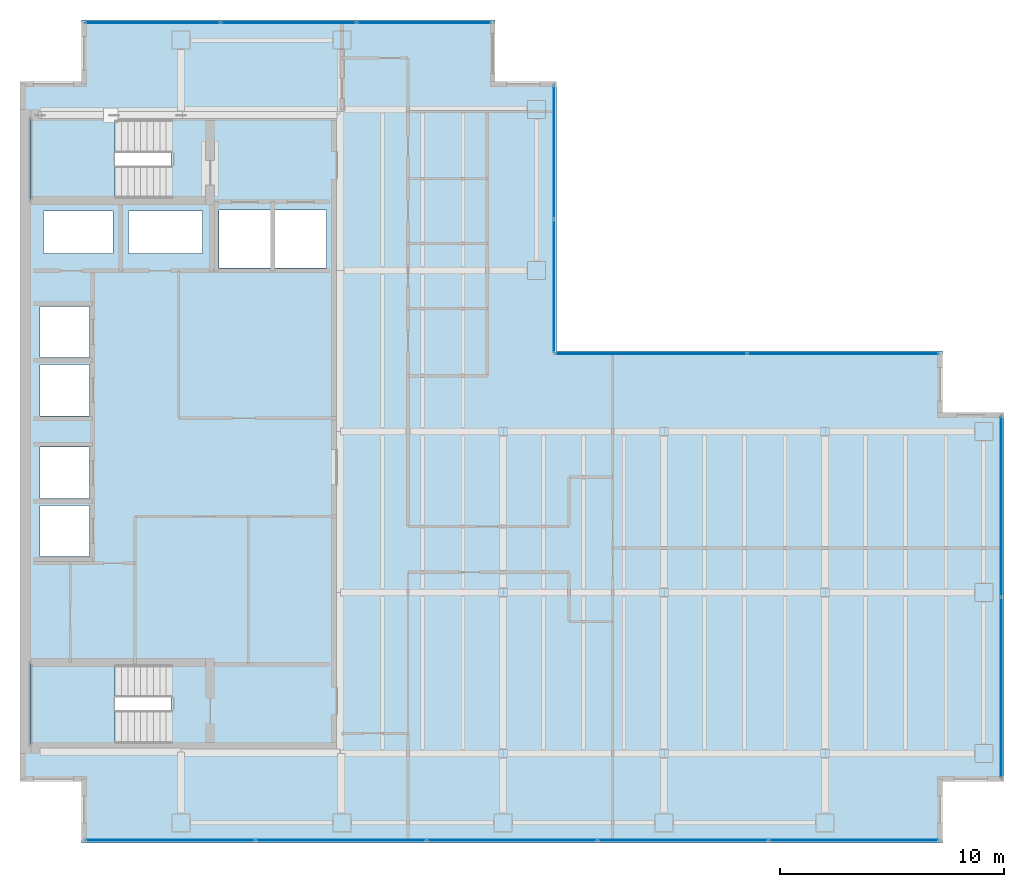
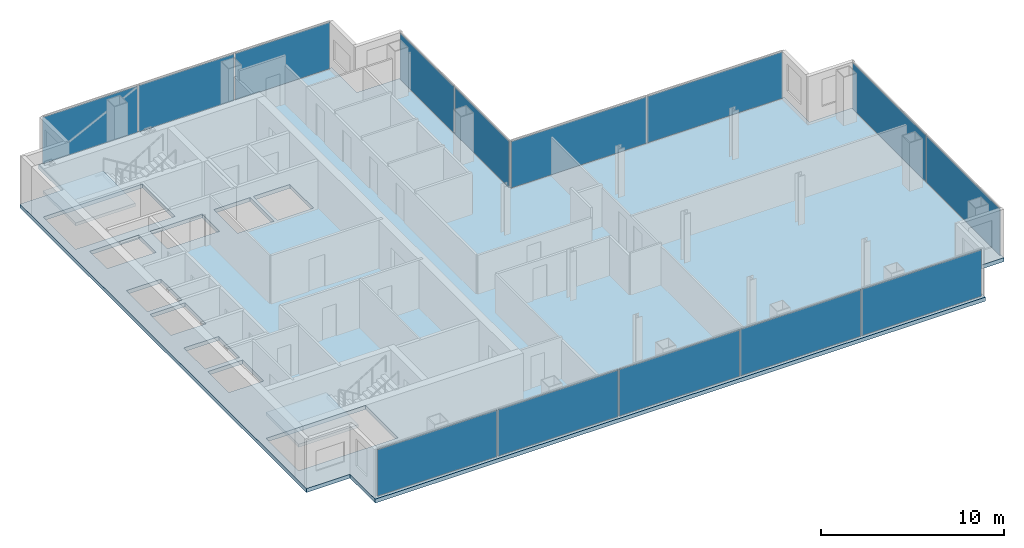
# One storey, part 19 of 23: 14 plates, 3 slabs, 10 openings, 7 elements without a shape of their own.
"""IFC4 building model written with IfcOpenShell, lengths in metres."""

from ifc_helpers import new_model, si_unit, direction, frame, origin, origin_2d, place, context, subcontext, project, spatial, polyline, rectangle, outline, extrude, material, layer, layer_set, type_object, element, aggregate, save


model = new_model("IFC4")

# Units and contexts
model_context = context("Model", 3, precision=1e-05, world=origin(), true_north=direction((0.0, 1.0)))
body_context = subcontext(model_context, "Body", "Model", "MODEL_VIEW")
ifc_project = project(units=[si_unit("LENGTHUNIT", "METRE"), si_unit("AREAUNIT", "SQUARE_METRE"), si_unit("VOLUMEUNIT", "CUBIC_METRE"), si_unit("PLANEANGLEUNIT", "RADIAN"), si_unit("MASSUNIT", "GRAM", prefix="KILO")], contexts=[model_context])

# Site, building, storey
site_placement = place(None, origin())
site = spatial("IfcSite", under=ifc_project, at=site_placement, CompositionType="ELEMENT")
building_placement = place(site_placement, origin())
building = spatial("IfcBuilding", under=site, at=building_placement, Name="Cobrela Telecom Tower", CompositionType="ELEMENT")
storey_placement = place(building_placement, frame((0.0, 0.0, 183.75)))
storey = spatial("IfcBuildingStorey", under=building, at=storey_placement, Name="L46", CompositionType="ELEMENT", Elevation=183.75)

# Curtain wall, plates
ifc_material_1 = material(Name="Anodized Bronze Aluminium 6063-T6", Category="aluminium")
curtain_wall_type = type_object("IfcCurtainWallType", Name="CW-SYS-OFF-LO", PredefinedType="USERDEFINED", material=ifc_material_1)
curtain_wall_1_placement = place(storey_placement, origin())
curtain_wall_1 = element("IfcCurtainWall", 1, at=curtain_wall_1_placement, inside=storey, type_object=curtain_wall_type, Name="L46 Unitised Bronze Curtain Wall 07", ObjectType="UNITISED CURTAIN WALL", PredefinedType="USERDEFINED")
ifc_material_2 = material(Name="Solar-Control Bronze Low-E Glass", Category="glass")
ifc_layer_1 = layer(ifc_material_2, 0.031982421875)
ifc_layer_set_1 = layer_set([ifc_layer_1], Name="Solar-Control Bronze Low-E Glass")
plate_type = type_object("IfcPlateType", Name="CW-SYS-OFF-LO-PNL", PredefinedType="CURTAIN_PANEL", material=ifc_layer_set_1)
plate_1_placement = place(storey_placement, frame((5.930908203125, 39.8798828125, 0.070068359375), z_axis=(0.0, 0.0, 1.0), x_axis=(1.0, 0.0, 0.0)))
plate_1 = element("IfcPlate", 2, at=plate_1_placement, type_object=plate_type, Name="CW-OFF-LO panel 1.1", PredefinedType="CURTAIN_PANEL", context=body_context, shape_type="SweptSolid", body=[
    extrude(rectangle(XDim=5.981689453125, YDim=0.031982421875, at=origin_2d()), origin(), (0.0, 0.0, 1.0), 3.10009765625),
])
plate_2_placement = place(storey_placement, frame((12.0, 39.8798828125, 0.070068359375), z_axis=(0.0, 0.0, 1.0), x_axis=(1.0, 0.0, 0.0)))
plate_2 = element("IfcPlate", 3, at=plate_2_placement, type_object=plate_type, Name="CW-OFF-LO panel 2.1", PredefinedType="CURTAIN_PANEL", context=body_context, shape_type="SweptSolid", body=[
    extrude(rectangle(XDim=6.0166015625, YDim=0.031982421875, at=origin_2d()), origin(), (0.0, 0.0, 1.0), 3.10009765625),
])
plate_3_placement = place(storey_placement, frame((18.069091796875, 39.8798828125, 0.070068359375), z_axis=(0.0, 0.0, 1.0), x_axis=(1.0, 0.0, 0.0)))
plate_3 = element("IfcPlate", 4, at=plate_3_placement, type_object=plate_type, Name="CW-OFF-LO panel 3.1", PredefinedType="CURTAIN_PANEL", context=body_context, shape_type="SweptSolid", body=[
    extrude(rectangle(XDim=5.981689453125, YDim=0.031982421875, at=origin_2d()), origin(), (0.0, 0.0, 1.0), 3.10009765625),
])
aggregate(curtain_wall_1, [plate_1, plate_2, plate_3])

curtain_wall_2_placement = place(storey_placement, origin())
curtain_wall_2 = element("IfcCurtainWall", 5, at=curtain_wall_2_placement, inside=storey, type_object=curtain_wall_type, Name="L46 Unitised Bronze Curtain Wall 10", ObjectType="UNITISED CURTAIN WALL", PredefinedType="USERDEFINED")
plate_4_placement = place(storey_placement, frame((23.8798828125, 34.10009765625, 0.070068359375), z_axis=(0.0, 0.0, 1.0), x_axis=(0.0, -1.0, 0.0)))
plate_4 = element("IfcPlate", 6, at=plate_4_placement, type_object=plate_type, Name="CW-OFF-LO panel 1.1", PredefinedType="CURTAIN_PANEL", context=body_context, shape_type="SweptSolid", body=[
    extrude(rectangle(XDim=5.919921875, YDim=0.031982421875, at=origin_2d()), origin(), (0.0, 0.0, 1.0), 3.10009765625),
])
plate_5_placement = place(storey_placement, frame((23.8798828125, 28.110107421875, 0.070068359375), z_axis=(0.0, 0.0, 1.0), x_axis=(0.0, -1.0, 0.0)))
plate_5 = element("IfcPlate", 7, at=plate_5_placement, type_object=plate_type, Name="CW-OFF-LO panel 2.1", PredefinedType="CURTAIN_PANEL", context=body_context, shape_type="SweptSolid", body=[
    extrude(rectangle(XDim=5.919921875, YDim=0.031982421875, at=origin_2d()), origin(), (0.0, 0.0, 1.0), 3.10009765625),
])
aggregate(curtain_wall_2, [plate_4, plate_5])

curtain_wall_3_placement = place(storey_placement, origin())
curtain_wall_3 = element("IfcCurtainWall", 8, at=curtain_wall_3_placement, inside=storey, type_object=curtain_wall_type, Name="L46 Unitised Bronze Curtain Wall 11", ObjectType="UNITISED CURTAIN WALL", PredefinedType="USERDEFINED")
plate_6_placement = place(storey_placement, frame((28.2099609375, 25.080078125, 0.070068359375), z_axis=(0.0, 0.0, 1.0), x_axis=(1.0, 0.0, 0.0)))
plate_6 = element("IfcPlate", 9, at=plate_6_placement, type_object=plate_type, Name="CW-OFF-LO panel 1.1", PredefinedType="CURTAIN_PANEL", context=body_context, shape_type="SweptSolid", body=[
    extrude(rectangle(XDim=8.52001953125, YDim=0.031982421875, at=origin_2d()), origin(), (0.0, 0.0, 1.0), 3.10009765625),
])
plate_7_placement = place(storey_placement, frame((36.800048828125, 25.080078125, 0.070068359375), z_axis=(0.0, 0.0, 1.0), x_axis=(1.0, 0.0, 0.0)))
plate_7 = element("IfcPlate", 10, at=plate_7_placement, type_object=plate_type, Name="CW-OFF-LO panel 2.1", PredefinedType="CURTAIN_PANEL", context=body_context, shape_type="SweptSolid", body=[
    extrude(rectangle(XDim=8.52001953125, YDim=0.031982421875, at=origin_2d()), origin(), (0.0, 0.0, 1.0), 3.10009765625),
])
aggregate(curtain_wall_3, [plate_6, plate_7])

curtain_wall_4_placement = place(storey_placement, origin())
curtain_wall_4 = element("IfcCurtainWall", 11, at=curtain_wall_4_placement, inside=storey, type_object=curtain_wall_type, Name="L46 Unitised Bronze Curtain Wall 14", ObjectType="UNITISED CURTAIN WALL", PredefinedType="USERDEFINED")
plate_8_placement = place(storey_placement, frame((43.8798828125, 18.24755859375, 0.070068359375), z_axis=(0.0, 0.0, 1.0), x_axis=(0.0, -1.0, 0.0)))
plate_8 = element("IfcPlate", 12, at=plate_8_placement, type_object=plate_type, Name="CW-OFF-LO panel 1.1", PredefinedType="CURTAIN_PANEL", context=body_context, shape_type="SweptSolid", body=[
    extrude(rectangle(XDim=8.02490234375, YDim=0.031982421875, at=origin_2d()), origin(), (0.0, 0.0, 1.0), 3.10009765625),
])
plate_9_placement = place(storey_placement, frame((43.8798828125, 10.152587890625, 0.070068359375), z_axis=(0.0, 0.0, 1.0), x_axis=(0.0, -1.0, 0.0)))
plate_9 = element("IfcPlate", 13, at=plate_9_placement, type_object=plate_type, Name="CW-OFF-LO panel 2.1", PredefinedType="CURTAIN_PANEL", context=body_context, shape_type="SweptSolid", body=[
    extrude(rectangle(XDim=8.02490234375, YDim=0.031982421875, at=origin_2d()), origin(), (0.0, 0.0, 1.0), 3.10009765625),
])
aggregate(curtain_wall_4, [plate_8, plate_9])

curtain_wall_5_placement = place(storey_placement, origin())
curtain_wall_5 = element("IfcCurtainWall", 14, at=curtain_wall_5_placement, inside=storey, type_object=curtain_wall_type, Name="L46 Unitised Bronze Curtain Wall 17", ObjectType="UNITISED CURTAIN WALL", PredefinedType="USERDEFINED")
plate_10_placement = place(storey_placement, frame((37.28662109375, 3.320068359375, 0.070068359375), z_axis=(0.0, 0.0, 1.0), x_axis=(-1.0, 0.0, 0.0)))
plate_10 = element("IfcPlate", 15, at=plate_10_placement, type_object=plate_type, Name="CW-OFF-LO panel 1.1", PredefinedType="CURTAIN_PANEL", context=body_context, shape_type="SweptSolid", body=[
    extrude(rectangle(XDim=7.547119140625, YDim=0.031982421875, at=origin_2d()), origin(), (0.0, 0.0, 1.0), 3.10009765625),
])
plate_11_placement = place(storey_placement, frame((29.652099609375, 3.320068359375, 0.070068359375), z_axis=(0.0, 0.0, 1.0), x_axis=(-1.0, 0.0, 0.0)))
plate_11 = element("IfcPlate", 16, at=plate_11_placement, type_object=plate_type, Name="CW-OFF-LO panel 2.1", PredefinedType="CURTAIN_PANEL", context=body_context, shape_type="SweptSolid", body=[
    extrude(rectangle(XDim=7.58203125, YDim=0.031982421875, at=origin_2d()), origin(), (0.0, 0.0, 1.0), 3.10009765625),
])
plate_12_placement = place(storey_placement, frame((22.0, 3.320068359375, 0.070068359375), z_axis=(0.0, 0.0, 1.0), x_axis=(-1.0, 0.0, 0.0)))
plate_12 = element("IfcPlate", 17, at=plate_12_placement, type_object=plate_type, Name="CW-OFF-LO panel 3.1", PredefinedType="CURTAIN_PANEL", context=body_context, shape_type="SweptSolid", body=[
    extrude(rectangle(XDim=7.58203125, YDim=0.031982421875, at=origin_2d()), origin(), (0.0, 0.0, 1.0), 3.10009765625),
])
plate_13_placement = place(storey_placement, frame((14.347900390625, 3.320068359375, 0.070068359375), z_axis=(0.0, 0.0, 1.0), x_axis=(-1.0, 0.0, 0.0)))
plate_13 = element("IfcPlate", 18, at=plate_13_placement, type_object=plate_type, Name="CW-OFF-LO panel 4.1", PredefinedType="CURTAIN_PANEL", context=body_context, shape_type="SweptSolid", body=[
    extrude(rectangle(XDim=7.58203125, YDim=0.031982421875, at=origin_2d()), origin(), (0.0, 0.0, 1.0), 3.10009765625),
])
plate_14_placement = place(storey_placement, frame((6.71337890625, 3.320068359375, 0.070068359375), z_axis=(0.0, 0.0, 1.0), x_axis=(-1.0, 0.0, 0.0)))
plate_14 = element("IfcPlate", 19, at=plate_14_placement, type_object=plate_type, Name="CW-OFF-LO panel 5.1", PredefinedType="CURTAIN_PANEL", context=body_context, shape_type="SweptSolid", body=[
    extrude(rectangle(XDim=7.547119140625, YDim=0.031982421875, at=origin_2d()), origin(), (0.0, 0.0, 1.0), 3.10009765625),
])
aggregate(curtain_wall_5, [plate_10, plate_11, plate_12, plate_13, plate_14])

# Slab, openings
ifc_material_3 = material(Name="Concrete C40/50", Category="concrete")
ifc_layer_2 = layer(ifc_material_3, 0.260009765625)
ifc_layer_set_2 = layer_set([ifc_layer_2], Name="Concrete C40/50")
slab_type_1 = type_object("IfcSlabType", Name="SLAB-FLR-260", PredefinedType="FLOOR", material=ifc_layer_set_2)
slab_1_placement = place(storey_placement, frame((0.0, 0.0, -0.260009765625)))
slab_1 = element("IfcSlab", 20, at=slab_1_placement, inside=storey, type_object=slab_type_1, Name="L46 Structural Floor Slab", PredefinedType="FLOOR", context=body_context, shape_type="SweptSolid", body=[
    extrude(outline(polyline([(2.75, 3.199951171875), (41.25, 3.199951171875), (41.25, 5.949951171875), (44.0, 5.949951171875), (44.0, 22.449951171875), (41.25, 22.449951171875), (41.25, 25.199951171875), (24.0, 25.199951171875), (24.0, 37.25), (21.25, 37.25), (21.25, 40.0), (2.75, 40.0), (2.75, 37.25), (0.0, 37.25), (0.0, 5.949951171875), (2.75, 5.949951171875), (2.75, 3.199951171875)])), origin(), (0.0, 0.0, 1.0), 0.260009765625),
])
opening_1_placement = place(slab_1_placement, frame((0.0, 0.0, -0.02001953125)))
element("IfcOpeningElement", 21, at=opening_1_placement, cuts=slab_1, Name="Slab Shaft Opening SLAB-L46-MAIN.1", PredefinedType="OPENING", context=body_context, shape_type="SweptSolid", body=[
    extrude(outline(polyline([(8.89990234375, 28.89990234375), (11.199951171875, 28.89990234375), (11.199951171875, 31.5), (8.89990234375, 31.5), (8.89990234375, 28.89990234375)])), origin(), (0.0, 0.0, 1.0), 0.300048828125),
])
opening_2_placement = place(slab_1_placement, frame((0.0, 0.0, -0.02001953125)))
element("IfcOpeningElement", 22, at=opening_2_placement, cuts=slab_1, Name="Slab Shaft Opening SLAB-L46-MAIN.2", PredefinedType="OPENING", context=body_context, shape_type="SweptSolid", body=[
    extrude(outline(polyline([(11.39990234375, 28.89990234375), (13.699951171875, 28.89990234375), (13.699951171875, 31.5), (11.39990234375, 31.5), (11.39990234375, 28.89990234375)])), origin(), (0.0, 0.0, 1.0), 0.300048828125),
])
opening_3_placement = place(slab_1_placement, frame((0.0, 0.0, -0.02001953125)))
element("IfcOpeningElement", 23, at=opening_3_placement, cuts=slab_1, Name="Slab Shaft Opening SLAB-L46-MAIN.3", PredefinedType="OPENING", context=body_context, shape_type="SweptSolid", body=[
    extrude(outline(polyline([(0.89990234375, 16.0), (3.10009765625, 16.0), (3.10009765625, 18.300048828125), (0.89990234375, 18.300048828125), (0.89990234375, 16.0)])), origin(), (0.0, 0.0, 1.0), 0.300048828125),
])
opening_4_placement = place(slab_1_placement, frame((0.0, 0.0, -0.02001953125)))
element("IfcOpeningElement", 24, at=opening_4_placement, cuts=slab_1, Name="Slab Shaft Opening SLAB-L46-MAIN.4", PredefinedType="OPENING", context=body_context, shape_type="SweptSolid", body=[
    extrude(outline(polyline([(0.89990234375, 18.60009765625), (3.10009765625, 18.60009765625), (3.10009765625, 20.89990234375), (0.89990234375, 20.89990234375), (0.89990234375, 18.60009765625)])), origin(), (0.0, 0.0, 1.0), 0.300048828125),
])
opening_5_placement = place(slab_1_placement, frame((0.0, 0.0, -0.02001953125)))
element("IfcOpeningElement", 25, at=opening_5_placement, cuts=slab_1, Name="Slab Shaft Opening SLAB-L46-MAIN.5", PredefinedType="OPENING", context=body_context, shape_type="SweptSolid", body=[
    extrude(outline(polyline([(0.89990234375, 22.300048828125), (3.10009765625, 22.300048828125), (3.10009765625, 24.60009765625), (0.89990234375, 24.60009765625), (0.89990234375, 22.300048828125)])), origin(), (0.0, 0.0, 1.0), 0.300048828125),
])
opening_6_placement = place(slab_1_placement, frame((0.0, 0.0, -0.02001953125)))
element("IfcOpeningElement", 26, at=opening_6_placement, cuts=slab_1, Name="Slab Shaft Opening SLAB-L46-MAIN.6", PredefinedType="OPENING", context=body_context, shape_type="SweptSolid", body=[
    extrude(outline(polyline([(0.89990234375, 24.89990234375), (3.10009765625, 24.89990234375), (3.10009765625, 27.199951171875), (0.89990234375, 27.199951171875), (0.89990234375, 24.89990234375)])), origin(), (0.0, 0.0, 1.0), 0.300048828125),
])
opening_7_placement = place(slab_1_placement, frame((0.0, 0.0, -0.02001953125)))
element("IfcOpeningElement", 27, at=opening_7_placement, cuts=slab_1, Name="Slab Shaft Opening SLAB-L46-MAIN.7", PredefinedType="OPENING", context=body_context, shape_type="SweptSolid", body=[
    extrude(outline(polyline([(1.050048828125, 29.550048828125), (4.14990234375, 29.550048828125), (4.14990234375, 31.449951171875), (1.050048828125, 31.449951171875), (1.050048828125, 29.550048828125)])), origin(), (0.0, 0.0, 1.0), 0.300048828125),
])
opening_8_placement = place(slab_1_placement, frame((0.0, 0.0, -0.02001953125)))
element("IfcOpeningElement", 28, at=opening_8_placement, cuts=slab_1, Name="Slab Shaft Opening SLAB-L46-MAIN.8", PredefinedType="OPENING", context=body_context, shape_type="SweptSolid", body=[
    extrude(outline(polyline([(4.85009765625, 29.550048828125), (8.14990234375, 29.550048828125), (8.14990234375, 31.449951171875), (4.85009765625, 31.449951171875), (4.85009765625, 29.550048828125)])), origin(), (0.0, 0.0, 1.0), 0.300048828125),
])
opening_9_placement = place(slab_1_placement, frame((0.0, 0.0, -0.02001953125)))
element("IfcOpeningElement", 29, at=opening_9_placement, cuts=slab_1, Name="Slab Shaft Opening SLAB-L46-MAIN.9", PredefinedType="OPENING", context=body_context, shape_type="SweptSolid", body=[
    extrude(outline(polyline([(6.7548828125, 35.550048828125), (0.47998046875, 35.550048828125), (0.47998046875, 32.0), (6.7548828125, 32.0), (6.7548828125, 35.550048828125)])), origin(), (0.0, 0.0, 1.0), 0.300048828125),
])
opening_10_placement = place(slab_1_placement, frame((0.0, 0.0, -0.02001953125)))
element("IfcOpeningElement", 30, at=opening_10_placement, cuts=slab_1, Name="Slab Shaft Opening SLAB-L46-MAIN.10", PredefinedType="OPENING", context=body_context, shape_type="SweptSolid", body=[
    extrude(outline(polyline([(6.7548828125, 11.199951171875), (0.47998046875, 11.199951171875), (0.47998046875, 7.64990234375), (6.7548828125, 7.64990234375), (6.7548828125, 11.199951171875)])), origin(), (0.0, 0.0, 1.0), 0.300048828125),
])

# Stair, slab
stair_type = type_object("IfcStairType", Name="STAIR-CORE", PredefinedType="HALF_TURN_STAIR", material=ifc_material_3)
stair_1_placement = place(storey_placement, origin())
stair_1 = element("IfcStair", 31, at=stair_1_placement, inside=storey, type_object=stair_type, Name="L46 Smokeproof Exit Stair ST1", PredefinedType="HALF_TURN_STAIR")
ifc_layer_3 = layer(ifc_material_3, 0.199951171875)
ifc_layer_set_3 = layer_set([ifc_layer_3], Name="Concrete C40/50")
slab_type_2 = type_object("IfcSlabType", Name="SLAB-LAND-200", PredefinedType="LANDING", material=ifc_layer_set_3)
slab_2_placement = place(storey_placement, frame((0.0, 0.0, 1.550048828125)))
slab_2 = element("IfcSlab", 32, at=slab_2_placement, type_object=slab_type_2, Name="ST1 landing 1", PredefinedType="LANDING", context=body_context, shape_type="SweptSolid", body=[
    extrude(outline(polyline([(4.2548828125, 35.550048828125), (0.47998046875, 35.550048828125), (0.47998046875, 32.0), (4.2548828125, 32.0), (4.2548828125, 35.550048828125)])), origin(), (0.0, 0.0, 1.0), 0.199951171875),
])
aggregate(stair_1, [slab_2])

stair_2_placement = place(storey_placement, origin())
stair_2 = element("IfcStair", 33, at=stair_2_placement, inside=storey, type_object=stair_type, Name="L46 Smokeproof Exit Stair ST2", PredefinedType="HALF_TURN_STAIR")
slab_3_placement = place(storey_placement, frame((0.0, 0.0, 1.550048828125)))
slab_3 = element("IfcSlab", 34, at=slab_3_placement, type_object=slab_type_2, Name="ST2 landing 1", PredefinedType="LANDING", context=body_context, shape_type="SweptSolid", body=[
    extrude(outline(polyline([(4.2548828125, 11.199951171875), (0.47998046875, 11.199951171875), (0.47998046875, 7.64990234375), (4.2548828125, 7.64990234375), (4.2548828125, 11.199951171875)])), origin(), (0.0, 0.0, 1.0), 0.199951171875),
])
aggregate(stair_2, [slab_3])

save(model, "model.ifc")
